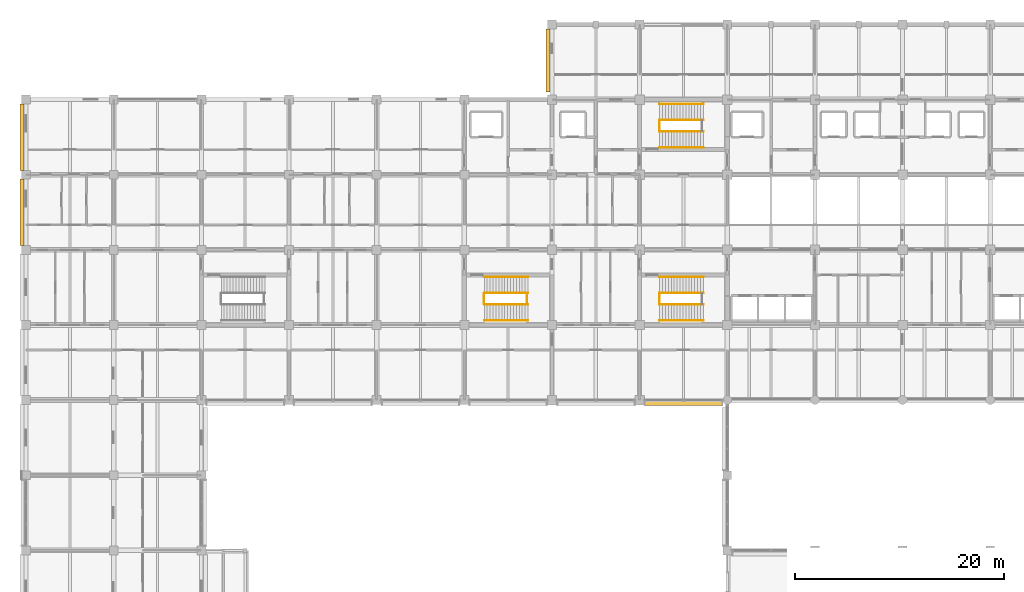
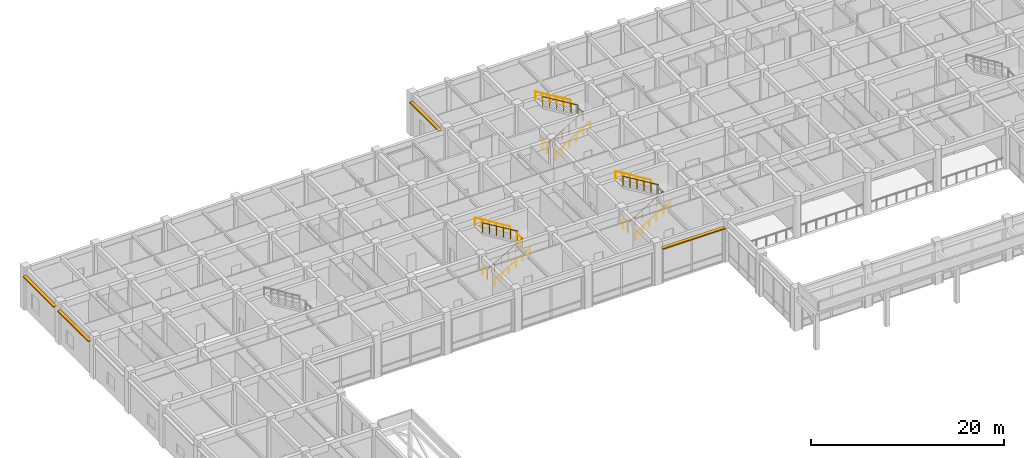
# One storey, part 64 of 68: 16 railings, 4 shading devices.
"""IFC4 building model written with IfcOpenShell, lengths in metres."""

from ifc_helpers import new_model, si_unit, direction, frame, origin, origin_2d, place, context, subcontext, project, spatial, rectangle, circle, extrude, material, type_object, element, save


model = new_model("IFC4")

# Units and contexts
model_context = context("Model", 3, precision=1e-05, world=origin(), true_north=direction((0.0, 1.0)))
body_context = subcontext(model_context, "Body", "Model", "MODEL_VIEW")
ifc_project = project(units=[si_unit("LENGTHUNIT", "METRE"), si_unit("AREAUNIT", "SQUARE_METRE"), si_unit("VOLUMEUNIT", "CUBIC_METRE"), si_unit("PLANEANGLEUNIT", "RADIAN"), si_unit("MASSUNIT", "GRAM", prefix="KILO")], contexts=[model_context])

# Site, building, storey
site_placement = place(None, origin())
site = spatial("IfcSite", under=ifc_project, at=site_placement, CompositionType="ELEMENT")
building_placement = place(site_placement, origin())
building = spatial("IfcBuilding", under=site, at=building_placement, Name="Chengyuan Square Courthouse", CompositionType="ELEMENT")
storey_placement = place(building_placement, frame((0.0, 0.0, 5.39990234375)))
storey = spatial("IfcBuildingStorey", under=building, at=storey_placement, Name="L02", CompositionType="ELEMENT", Elevation=5.39990234375)

# Railings
ifc_material_1 = material(Name="Tempered Glass and Timber Top-Rail Balustrade", Category="wood")
railing_type_1 = type_object("IfcRailingType", Name="RL-02", PredefinedType="BALUSTRADE", material=ifc_material_1)
railing_1_placement = place(storey_placement, frame((60.68994140625, 105.0, 0.0)))
element("IfcRailing", 1, at=railing_1_placement, inside=storey, type_object=railing_type_1, Name="Stair Floor Slot Guard ST-1 L02", PredefinedType="BALUSTRADE", context=body_context, shape_type="SweptSolid", body=[
    extrude(circle(Radius=0.02392578125, at=origin_2d()), frame((0.0, 0.0, 1.17578125), z_axis=(0.0, 1.0, 0.0), x_axis=(-1.0, 0.0, 0.0)), (0.0, 0.0, 1.0), 1.0),
    extrude(circle(Radius=0.02099609375, at=origin_2d()), origin(), (0.0, 0.0, 1.0), 1.15185546875),
    extrude(circle(Radius=0.02099609375, at=origin_2d()), frame((0.0, 1.0, 0.0)), (0.0, 0.0, 1.0), 1.15185546875),
])
railing_2_placement = place(storey_placement, frame((60.7099609375, 104.949951171875, 0.1689453125)))
element("IfcRailing", 2, at=railing_2_placement, inside=storey, type_object=railing_type_1, Name="Stair Flight 1 Guard ST-1-L02", PredefinedType="BALUSTRADE", context=body_context, shape_type="SweptSolid", body=[
    extrude(circle(Radius=0.02392578125, at=origin_2d()), frame((0.0, 0.0, 1.17578125), z_axis=(0.856476492594, 0.0, 0.516186030065), x_axis=(0.0, 1.0, 0.0)), (0.0, 0.0, 1.0), 4.90380859375),
    extrude(circle(Radius=0.02099609375, at=origin_2d()), origin(), (0.0, 0.0, 1.0), 1.15185546875),
    extrude(circle(Radius=0.02099609375, at=origin_2d()), frame((0.840087890625, 0.0, 0.50634765625)), (0.0, 0.0, 1.0), 1.15185546875),
    extrude(circle(Radius=0.02099609375, at=origin_2d()), frame((1.679931640625, 0.0, 1.012451171875)), (0.0, 0.0, 1.0), 1.15185546875),
    extrude(circle(Radius=0.02099609375, at=origin_2d()), frame((2.52001953125, 0.0, 1.518798828125)), (0.0, 0.0, 1.0), 1.15185546875),
    extrude(circle(Radius=0.02099609375, at=origin_2d()), frame((3.35986328125, 0.0, 2.02490234375)), (0.0, 0.0, 1.0), 1.15185546875),
    extrude(circle(Radius=0.02099609375, at=origin_2d()), frame((4.199951171875, 0.0, 2.53125)), (0.0, 0.0, 1.0), 1.15185546875),
])
railing_3_placement = place(storey_placement, frame((64.909912109375, 106.050048828125, 2.868896484375)))
element("IfcRailing", 3, at=railing_3_placement, inside=storey, type_object=railing_type_1, Name="Stair Flight 2 Guard ST-1-L02", PredefinedType="BALUSTRADE", context=body_context, shape_type="SweptSolid", body=[
    extrude(circle(Radius=0.02392578125, at=origin_2d()), frame((0.0, 0.0, 1.17578125), z_axis=(-0.856476492594, 0.0, 0.516186030065), x_axis=(0.0, -1.0, 0.0)), (0.0, 0.0, 1.0), 4.90380859375),
    extrude(circle(Radius=0.02099609375, at=origin_2d()), origin(), (0.0, 0.0, 1.0), 1.15185546875),
    extrude(circle(Radius=0.02099609375, at=origin_2d()), frame((-0.840087890625, 0.0, 0.50634765625)), (0.0, 0.0, 1.0), 1.15185546875),
    extrude(circle(Radius=0.02099609375, at=origin_2d()), frame((-1.679931640625, 0.0, 1.012451171875)), (0.0, 0.0, 1.0), 1.15185546875),
    extrude(circle(Radius=0.02099609375, at=origin_2d()), frame((-2.52001953125, 0.0, 1.518798828125)), (0.0, 0.0, 1.0), 1.15185546875),
    extrude(circle(Radius=0.02099609375, at=origin_2d()), frame((-3.35986328125, 0.0, 2.02490234375)), (0.0, 0.0, 1.0), 1.15185546875),
    extrude(circle(Radius=0.02099609375, at=origin_2d()), frame((-4.199951171875, 0.0, 2.53125)), (0.0, 0.0, 1.0), 1.15185546875),
])
railing_4_placement = place(storey_placement, frame((60.68994140625, 88.39990234375, 0.0)))
element("IfcRailing", 4, at=railing_4_placement, inside=storey, type_object=railing_type_1, Name="Stair Floor Slot Guard ST-3 L02", PredefinedType="BALUSTRADE", context=body_context, shape_type="SweptSolid", body=[
    extrude(circle(Radius=0.02392578125, at=origin_2d()), frame((0.0, 0.0, 1.17578125), z_axis=(0.0, 1.0, 0.0), x_axis=(-1.0, 0.0, 0.0)), (0.0, 0.0, 1.0), 1.0),
    extrude(circle(Radius=0.02099609375, at=origin_2d()), origin(), (0.0, 0.0, 1.0), 1.15185546875),
    extrude(circle(Radius=0.02099609375, at=origin_2d()), frame((0.0, 1.0, 0.0)), (0.0, 0.0, 1.0), 1.15185546875),
])
railing_5_placement = place(storey_placement, frame((60.7099609375, 88.35009765625, 0.1689453125)))
element("IfcRailing", 5, at=railing_5_placement, inside=storey, type_object=railing_type_1, Name="Stair Flight 1 Guard ST-3-L02", PredefinedType="BALUSTRADE", context=body_context, shape_type="SweptSolid", body=[
    extrude(circle(Radius=0.02392578125, at=origin_2d()), frame((0.0, 0.0, 1.17578125), z_axis=(0.856476492594, 0.0, 0.516186030065), x_axis=(0.0, 1.0, 0.0)), (0.0, 0.0, 1.0), 4.90380859375),
    extrude(circle(Radius=0.02099609375, at=origin_2d()), origin(), (0.0, 0.0, 1.0), 1.15185546875),
    extrude(circle(Radius=0.02099609375, at=origin_2d()), frame((0.840087890625, 0.0, 0.50634765625)), (0.0, 0.0, 1.0), 1.15185546875),
    extrude(circle(Radius=0.02099609375, at=origin_2d()), frame((1.679931640625, 0.0, 1.012451171875)), (0.0, 0.0, 1.0), 1.15185546875),
    extrude(circle(Radius=0.02099609375, at=origin_2d()), frame((2.52001953125, 0.0, 1.518798828125)), (0.0, 0.0, 1.0), 1.15185546875),
    extrude(circle(Radius=0.02099609375, at=origin_2d()), frame((3.35986328125, 0.0, 2.02490234375)), (0.0, 0.0, 1.0), 1.15185546875),
    extrude(circle(Radius=0.02099609375, at=origin_2d()), frame((4.199951171875, 0.0, 2.53125)), (0.0, 0.0, 1.0), 1.15185546875),
])
railing_6_placement = place(storey_placement, frame((64.909912109375, 89.449951171875, 2.868896484375)))
element("IfcRailing", 6, at=railing_6_placement, inside=storey, type_object=railing_type_1, Name="Stair Flight 2 Guard ST-3-L02", PredefinedType="BALUSTRADE", context=body_context, shape_type="SweptSolid", body=[
    extrude(circle(Radius=0.02392578125, at=origin_2d()), frame((0.0, 0.0, 1.17578125), z_axis=(-0.856476492594, 0.0, 0.516186030065), x_axis=(0.0, -1.0, 0.0)), (0.0, 0.0, 1.0), 4.90380859375),
    extrude(circle(Radius=0.02099609375, at=origin_2d()), origin(), (0.0, 0.0, 1.0), 1.15185546875),
    extrude(circle(Radius=0.02099609375, at=origin_2d()), frame((-0.840087890625, 0.0, 0.50634765625)), (0.0, 0.0, 1.0), 1.15185546875),
    extrude(circle(Radius=0.02099609375, at=origin_2d()), frame((-1.679931640625, 0.0, 1.012451171875)), (0.0, 0.0, 1.0), 1.15185546875),
    extrude(circle(Radius=0.02099609375, at=origin_2d()), frame((-2.52001953125, 0.0, 1.518798828125)), (0.0, 0.0, 1.0), 1.15185546875),
    extrude(circle(Radius=0.02099609375, at=origin_2d()), frame((-3.35986328125, 0.0, 2.02490234375)), (0.0, 0.0, 1.0), 1.15185546875),
    extrude(circle(Radius=0.02099609375, at=origin_2d()), frame((-4.199951171875, 0.0, 2.53125)), (0.0, 0.0, 1.0), 1.15185546875),
])
for number, where, name in (
    (7, (43.889892578125, 88.39990234375, 0.0), "Stair Floor Slot Guard ST-5 L02"),
    (8, (47.989990234375, 88.39990234375, 2.7001953125), "Stair Landing Guard ST-5-L02"),
):
    element("IfcRailing", number, at=place(storey_placement, frame(where)), inside=storey, type_object=railing_type_1, Name=name, PredefinedType="BALUSTRADE", context=body_context, shape_type="SweptSolid", body=[
        extrude(circle(Radius=0.02392578125, at=origin_2d()), frame((0.0, 0.0, 1.17578125), z_axis=(0.0, 1.0, 0.0), x_axis=(-1.0, 0.0, 0.0)), (0.0, 0.0, 1.0), 1.0),
        extrude(circle(Radius=0.02099609375, at=origin_2d()), origin(), (0.0, 0.0, 1.0), 1.15185546875),
        extrude(circle(Radius=0.02099609375, at=origin_2d()), frame((0.0, 1.0, 0.0)), (0.0, 0.0, 1.0), 1.15185546875),
    ])
railing_7_placement = place(storey_placement, frame((43.909912109375, 88.35009765625, 0.1689453125)))
element("IfcRailing", 9, at=railing_7_placement, inside=storey, type_object=railing_type_1, Name="Stair Flight 1 Guard ST-5-L02", PredefinedType="BALUSTRADE", context=body_context, shape_type="SweptSolid", body=[
    extrude(circle(Radius=0.02392578125, at=origin_2d()), frame((0.0, 0.0, 1.17578125), z_axis=(0.856489757249, 0.0, 0.516164020179), x_axis=(0.0, 1.0, 0.0)), (0.0, 0.0, 1.0), 4.904052734375),
    extrude(circle(Radius=0.02099609375, at=origin_2d()), origin(), (0.0, 0.0, 1.0), 1.15185546875),
    extrude(circle(Radius=0.02099609375, at=origin_2d()), frame((0.840087890625, 0.0, 0.50634765625)), (0.0, 0.0, 1.0), 1.15185546875),
    extrude(circle(Radius=0.02099609375, at=origin_2d()), frame((1.68017578125, 0.0, 1.012451171875)), (0.0, 0.0, 1.0), 1.15185546875),
    extrude(circle(Radius=0.02099609375, at=origin_2d()), frame((2.52001953125, 0.0, 1.518798828125)), (0.0, 0.0, 1.0), 1.15185546875),
    extrude(circle(Radius=0.02099609375, at=origin_2d()), frame((3.360107421875, 0.0, 2.02490234375)), (0.0, 0.0, 1.0), 1.15185546875),
    extrude(circle(Radius=0.02099609375, at=origin_2d()), frame((4.2001953125, 0.0, 2.53125)), (0.0, 0.0, 1.0), 1.15185546875),
])
railing_8_placement = place(storey_placement, frame((48.110107421875, 89.449951171875, 2.868896484375)))
element("IfcRailing", 10, at=railing_8_placement, inside=storey, type_object=railing_type_1, Name="Stair Flight 2 Guard ST-5-L02", PredefinedType="BALUSTRADE", context=body_context, shape_type="SweptSolid", body=[
    extrude(circle(Radius=0.02392578125, at=origin_2d()), frame((0.0, 0.0, 1.17578125), z_axis=(-0.856489757249, 0.0, 0.516164020179), x_axis=(0.0, -1.0, 0.0)), (0.0, 0.0, 1.0), 4.904052734375),
    extrude(circle(Radius=0.02099609375, at=origin_2d()), origin(), (0.0, 0.0, 1.0), 1.15185546875),
    extrude(circle(Radius=0.02099609375, at=origin_2d()), frame((-0.840087890625, 0.0, 0.50634765625)), (0.0, 0.0, 1.0), 1.15185546875),
    extrude(circle(Radius=0.02099609375, at=origin_2d()), frame((-1.68017578125, 0.0, 1.012451171875)), (0.0, 0.0, 1.0), 1.15185546875),
    extrude(circle(Radius=0.02099609375, at=origin_2d()), frame((-2.52001953125, 0.0, 1.518798828125)), (0.0, 0.0, 1.0), 1.15185546875),
    extrude(circle(Radius=0.02099609375, at=origin_2d()), frame((-3.360107421875, 0.0, 2.02490234375)), (0.0, 0.0, 1.0), 1.15185546875),
    extrude(circle(Radius=0.02099609375, at=origin_2d()), frame((-4.2001953125, 0.0, 2.53125)), (0.0, 0.0, 1.0), 1.15185546875),
])
ifc_material_2 = material(Name="Stainless Steel S30408 Stair Handrail", Category="steel")
railing_type_2 = type_object("IfcRailingType", Name="RL-04", PredefinedType="HANDRAIL", material=ifc_material_2)
railing_9_placement = place(storey_placement, frame((60.7099609375, 103.419921875, 0.1689453125)))
element("IfcRailing", 11, at=railing_9_placement, inside=storey, type_object=railing_type_2, Name="Stair Flight 1 Handrail ST-1-L02", PredefinedType="HANDRAIL", context=body_context, shape_type="SweptSolid", body=[
    extrude(circle(Radius=0.02392578125, at=origin_2d()), frame((0.0, 0.0, 0.8759765625), z_axis=(0.856476492594, 0.0, 0.516186030065), x_axis=(0.0, 1.0, 0.0)), (0.0, 0.0, 1.0), 4.90380859375),
    extrude(circle(Radius=0.02099609375, at=origin_2d()), origin(), (0.0, 0.0, 1.0), 0.851806640625),
    extrude(circle(Radius=0.02099609375, at=origin_2d()), frame((0.840087890625, 0.0, 0.50634765625)), (0.0, 0.0, 1.0), 0.851806640625),
    extrude(circle(Radius=0.02099609375, at=origin_2d()), frame((1.679931640625, 0.0, 1.012451171875)), (0.0, 0.0, 1.0), 0.851806640625),
    extrude(circle(Radius=0.02099609375, at=origin_2d()), frame((2.52001953125, 0.0, 1.518798828125)), (0.0, 0.0, 1.0), 0.851806640625),
    extrude(circle(Radius=0.02099609375, at=origin_2d()), frame((3.35986328125, 0.0, 2.02490234375)), (0.0, 0.0, 1.0), 0.851806640625),
    extrude(circle(Radius=0.02099609375, at=origin_2d()), frame((4.199951171875, 0.0, 2.53125)), (0.0, 0.0, 1.0), 0.851806640625),
])
railing_10_placement = place(storey_placement, frame((64.909912109375, 107.580078125, 2.868896484375)))
element("IfcRailing", 12, at=railing_10_placement, inside=storey, type_object=railing_type_2, Name="Stair Flight 2 Handrail ST-1-L02", PredefinedType="HANDRAIL", context=body_context, shape_type="SweptSolid", body=[
    extrude(circle(Radius=0.02392578125, at=origin_2d()), frame((0.0, 0.0, 0.8759765625), z_axis=(-0.856476492594, 0.0, 0.516186030065), x_axis=(0.0, -1.0, 0.0)), (0.0, 0.0, 1.0), 4.90380859375),
    extrude(circle(Radius=0.02099609375, at=origin_2d()), origin(), (0.0, 0.0, 1.0), 0.851806640625),
    extrude(circle(Radius=0.02099609375, at=origin_2d()), frame((-0.840087890625, 0.0, 0.50634765625)), (0.0, 0.0, 1.0), 0.851806640625),
    extrude(circle(Radius=0.02099609375, at=origin_2d()), frame((-1.679931640625, 0.0, 1.012451171875)), (0.0, 0.0, 1.0), 0.851806640625),
    extrude(circle(Radius=0.02099609375, at=origin_2d()), frame((-2.52001953125, 0.0, 1.518798828125)), (0.0, 0.0, 1.0), 0.851806640625),
    extrude(circle(Radius=0.02099609375, at=origin_2d()), frame((-3.35986328125, 0.0, 2.02490234375)), (0.0, 0.0, 1.0), 0.851806640625),
    extrude(circle(Radius=0.02099609375, at=origin_2d()), frame((-4.199951171875, 0.0, 2.53125)), (0.0, 0.0, 1.0), 0.851806640625),
])
railing_11_placement = place(storey_placement, frame((60.7099609375, 86.820068359375, 0.1689453125)))
element("IfcRailing", 13, at=railing_11_placement, inside=storey, type_object=railing_type_2, Name="Stair Flight 1 Handrail ST-3-L02", PredefinedType="HANDRAIL", context=body_context, shape_type="SweptSolid", body=[
    extrude(circle(Radius=0.02392578125, at=origin_2d()), frame((0.0, 0.0, 0.8759765625), z_axis=(0.856476492594, 0.0, 0.516186030065), x_axis=(0.0, 1.0, 0.0)), (0.0, 0.0, 1.0), 4.90380859375),
    extrude(circle(Radius=0.02099609375, at=origin_2d()), origin(), (0.0, 0.0, 1.0), 0.851806640625),
    extrude(circle(Radius=0.02099609375, at=origin_2d()), frame((0.840087890625, 0.0, 0.50634765625)), (0.0, 0.0, 1.0), 0.851806640625),
    extrude(circle(Radius=0.02099609375, at=origin_2d()), frame((1.679931640625, 0.0, 1.012451171875)), (0.0, 0.0, 1.0), 0.851806640625),
    extrude(circle(Radius=0.02099609375, at=origin_2d()), frame((2.52001953125, 0.0, 1.518798828125)), (0.0, 0.0, 1.0), 0.851806640625),
    extrude(circle(Radius=0.02099609375, at=origin_2d()), frame((3.35986328125, 0.0, 2.02490234375)), (0.0, 0.0, 1.0), 0.851806640625),
    extrude(circle(Radius=0.02099609375, at=origin_2d()), frame((4.199951171875, 0.0, 2.53125)), (0.0, 0.0, 1.0), 0.851806640625),
])
railing_12_placement = place(storey_placement, frame((64.909912109375, 90.97998046875, 2.868896484375)))
element("IfcRailing", 14, at=railing_12_placement, inside=storey, type_object=railing_type_2, Name="Stair Flight 2 Handrail ST-3-L02", PredefinedType="HANDRAIL", context=body_context, shape_type="SweptSolid", body=[
    extrude(circle(Radius=0.02392578125, at=origin_2d()), frame((0.0, 0.0, 0.8759765625), z_axis=(-0.856476492594, 0.0, 0.516186030065), x_axis=(0.0, -1.0, 0.0)), (0.0, 0.0, 1.0), 4.90380859375),
    extrude(circle(Radius=0.02099609375, at=origin_2d()), origin(), (0.0, 0.0, 1.0), 0.851806640625),
    extrude(circle(Radius=0.02099609375, at=origin_2d()), frame((-0.840087890625, 0.0, 0.50634765625)), (0.0, 0.0, 1.0), 0.851806640625),
    extrude(circle(Radius=0.02099609375, at=origin_2d()), frame((-1.679931640625, 0.0, 1.012451171875)), (0.0, 0.0, 1.0), 0.851806640625),
    extrude(circle(Radius=0.02099609375, at=origin_2d()), frame((-2.52001953125, 0.0, 1.518798828125)), (0.0, 0.0, 1.0), 0.851806640625),
    extrude(circle(Radius=0.02099609375, at=origin_2d()), frame((-3.35986328125, 0.0, 2.02490234375)), (0.0, 0.0, 1.0), 0.851806640625),
    extrude(circle(Radius=0.02099609375, at=origin_2d()), frame((-4.199951171875, 0.0, 2.53125)), (0.0, 0.0, 1.0), 0.851806640625),
])
railing_13_placement = place(storey_placement, frame((43.909912109375, 86.820068359375, 0.1689453125)))
element("IfcRailing", 15, at=railing_13_placement, inside=storey, type_object=railing_type_2, Name="Stair Flight 1 Handrail ST-5-L02", PredefinedType="HANDRAIL", context=body_context, shape_type="SweptSolid", body=[
    extrude(circle(Radius=0.02392578125, at=origin_2d()), frame((0.0, 0.0, 0.8759765625), z_axis=(0.856489757249, 0.0, 0.516164020179), x_axis=(0.0, 1.0, 0.0)), (0.0, 0.0, 1.0), 4.904052734375),
    extrude(circle(Radius=0.02099609375, at=origin_2d()), origin(), (0.0, 0.0, 1.0), 0.851806640625),
    extrude(circle(Radius=0.02099609375, at=origin_2d()), frame((0.840087890625, 0.0, 0.50634765625)), (0.0, 0.0, 1.0), 0.851806640625),
    extrude(circle(Radius=0.02099609375, at=origin_2d()), frame((1.68017578125, 0.0, 1.012451171875)), (0.0, 0.0, 1.0), 0.851806640625),
    extrude(circle(Radius=0.02099609375, at=origin_2d()), frame((2.52001953125, 0.0, 1.518798828125)), (0.0, 0.0, 1.0), 0.851806640625),
    extrude(circle(Radius=0.02099609375, at=origin_2d()), frame((3.360107421875, 0.0, 2.02490234375)), (0.0, 0.0, 1.0), 0.851806640625),
    extrude(circle(Radius=0.02099609375, at=origin_2d()), frame((4.2001953125, 0.0, 2.53125)), (0.0, 0.0, 1.0), 0.851806640625),
])
railing_14_placement = place(storey_placement, frame((48.110107421875, 90.97998046875, 2.868896484375)))
element("IfcRailing", 16, at=railing_14_placement, inside=storey, type_object=railing_type_2, Name="Stair Flight 2 Handrail ST-5-L02", PredefinedType="HANDRAIL", context=body_context, shape_type="SweptSolid", body=[
    extrude(circle(Radius=0.02392578125, at=origin_2d()), frame((0.0, 0.0, 0.8759765625), z_axis=(-0.856489757249, 0.0, 0.516164020179), x_axis=(0.0, -1.0, 0.0)), (0.0, 0.0, 1.0), 4.904052734375),
    extrude(circle(Radius=0.02099609375, at=origin_2d()), origin(), (0.0, 0.0, 1.0), 0.851806640625),
    extrude(circle(Radius=0.02099609375, at=origin_2d()), frame((-0.840087890625, 0.0, 0.50634765625)), (0.0, 0.0, 1.0), 0.851806640625),
    extrude(circle(Radius=0.02099609375, at=origin_2d()), frame((-1.68017578125, 0.0, 1.012451171875)), (0.0, 0.0, 1.0), 0.851806640625),
    extrude(circle(Radius=0.02099609375, at=origin_2d()), frame((-2.52001953125, 0.0, 1.518798828125)), (0.0, 0.0, 1.0), 0.851806640625),
    extrude(circle(Radius=0.02099609375, at=origin_2d()), frame((-3.360107421875, 0.0, 2.02490234375)), (0.0, 0.0, 1.0), 0.851806640625),
    extrude(circle(Radius=0.02099609375, at=origin_2d()), frame((-4.2001953125, 0.0, 2.53125)), (0.0, 0.0, 1.0), 0.851806640625),
])

# Shading devices
ifc_material_3 = material(Name="Glulam TCt28 Sunshade Louvre", Category="wood")
shading_device_type_1 = type_object("IfcShadingDeviceType", Name="SHD-02", PredefinedType="AWNING", material=ifc_material_3)
shading_device_1_placement = place(storey_placement, frame((63.012451171875, 78.887939453125, 4.30029296875), z_axis=(0.0, 0.0, 1.0), x_axis=(1.0, 0.0, 0.0)))
element("IfcShadingDevice", 17, at=shading_device_1_placement, inside=storey, type_object=shading_device_type_1, Name="Glulam Sunshade Louvre SHD-L02-0200", PredefinedType="AWNING", context=body_context, shape_type="SweptSolid", body=[
    extrude(rectangle(XDim=7.52490234375, YDim=0.43994140625, at=origin_2d()), origin(), (0.0, 0.0, 1.0), 0.139892578125),
])
ifc_material_4 = material(Name="Glulam TCt28 Facade Sunshade", Category="wood")
shading_device_type_2 = type_object("IfcShadingDeviceType", Name="SHD-03", PredefinedType="AWNING", material=ifc_material_4)
for number, where, z_axis, x_axis, name in (
    (18, (-0.382080078125, 97.199951171875, 4.2802734375), (0.0, 0.0, 1.0), (0.0, 1.0, 0.0), "Glulam Facade Sunshade SHD-L02-0159"),
    (19, (-0.382080078125, 104.39990234375, 4.2802734375), (0.0, 0.0, 1.0), (0.0, 1.0, 0.0), "Glulam Facade Sunshade SHD-L02-0160"),
):
    element("IfcShadingDevice", number, at=place(storey_placement, frame(where, z_axis=z_axis, x_axis=x_axis)), inside=storey, type_object=shading_device_type_2, Name=name, PredefinedType="AWNING", context=body_context, shape_type="SweptSolid", body=[
        extrude(rectangle(XDim=6.360107421875, YDim=0.39990234375, at=origin_2d()), origin(), (0.0, 0.0, 1.0), 0.139892578125),
    ])
shading_device_2_placement = place(storey_placement, frame((50.01806640625, 111.762451171875, 4.2802734375), z_axis=(0.0, 0.0, 1.0), x_axis=(0.0, 1.0, 0.0)))
element("IfcShadingDevice", 20, at=shading_device_2_placement, inside=storey, type_object=shading_device_type_2, Name="Glulam Facade Sunshade SHD-L02-0197", PredefinedType="AWNING", context=body_context, shape_type="SweptSolid", body=[
    extrude(rectangle(XDim=6.034912109375, YDim=0.39990234375, at=origin_2d()), origin(), (0.0, 0.0, 1.0), 0.139892578125),
])

save(model, "model.ifc")
